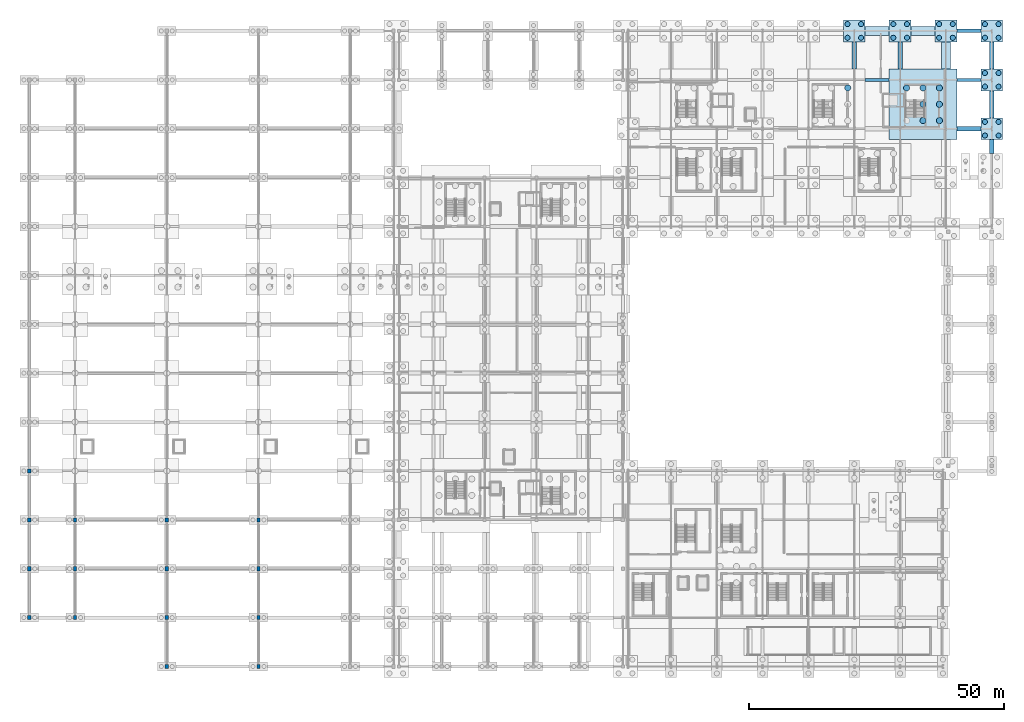
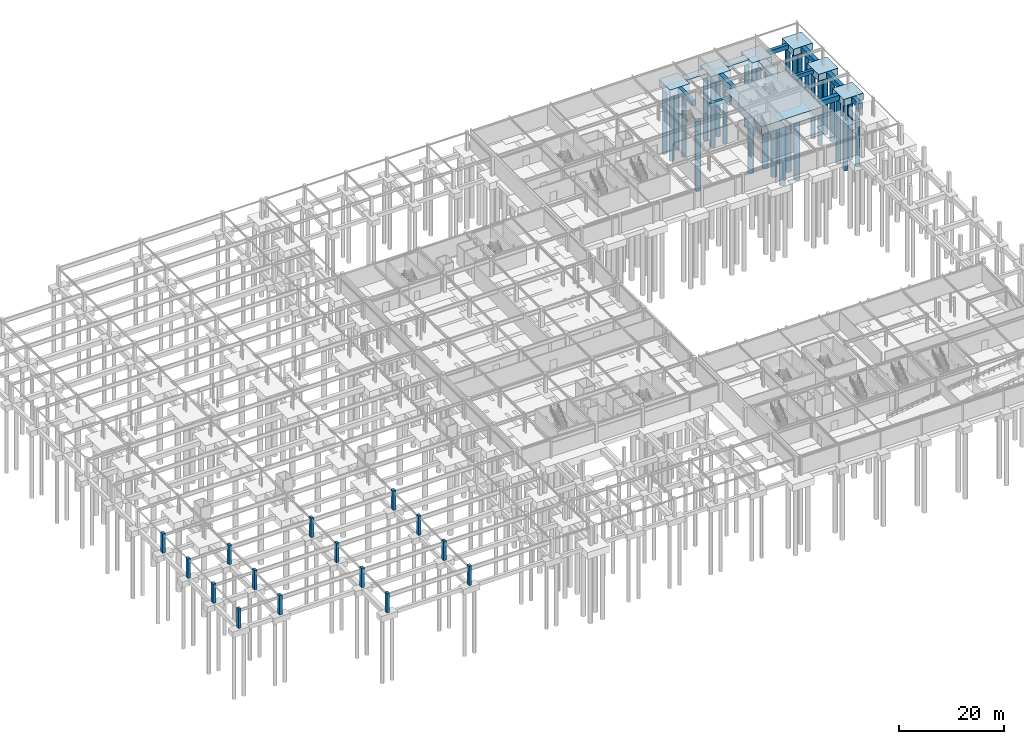
# One storey, part 10 of 59: 32 piles, 19 footings, 15 columns.
"""IFC4 building model written with IfcOpenShell, lengths in metres."""

import ifcopenshell
import ifcopenshell.guid

model = None  # the IFC model being written
_history = None  # IfcOwnerHistory: only IFC2X3 demands one
_inside = {}  # id of a spatial element -> (the spatial element, [elements in it])
_under = {}  # id of a project, library or spatial element -> (it, [spatial elements below it])
_declared = {}  # id of a project -> (the project, [libraries it declares])
_typed = {}  # id of a type object -> (the type object, [elements of that type])
_made_of = {}  # id of a material, layer set ... -> (it, [elements and type objects made of it])


def new_model(schema):
    """Start an empty IFC model of exactly this schema.

    Asked for "IFC4X3", IfcOpenShell would pick the latest addendum, in which some entities
    have other attributes; the version numbers below select the first issue.
    IFC2X3 requires an IfcOwnerHistory on every rooted entity: one is made here for all.
    """
    global model, _history
    if schema == "IFC4X3":
        model = ifcopenshell.file(schema_version=(4, 3, 0, 0))
    else:
        model = ifcopenshell.file(schema=schema)
    _inside.clear()
    _under.clear()
    _declared.clear()
    _typed.clear()
    _made_of.clear()
    _history = None
    if model.schema == "IFC2X3":
        org = make("IfcOrganization", Name="unknown")
        user = make(
            "IfcPersonAndOrganization",
            ThePerson=make("IfcPerson", FamilyName="unknown"),
            TheOrganization=org,
        )
        app = make(
            "IfcApplication",
            ApplicationDeveloper=org,
            Version="unknown",
            ApplicationFullName="unknown",
            ApplicationIdentifier="unknown",
        )
        _history = make(
            "IfcOwnerHistory",
            OwningUser=user,
            OwningApplication=app,
            ChangeAction="ADDED",
            CreationDate=0,
        )
    return model


def make(cls, **values):
    """One entity of the class cls with the attributes given. An attribute that is None is left unset."""
    return model.create_entity(
        cls, **{name: value for name, value in values.items() if value is not None}
    )


def rooted(cls, **values):
    """An entity with a GlobalId (a new one), such as an element, a storey or a relation."""
    return make(cls, GlobalId=ifcopenshell.guid.new(), OwnerHistory=_history, **values)


def si_unit(unit_type, name, prefix=None):
    """IfcSIUnit, for example si_unit("LENGTHUNIT", "METRE", prefix="MILLI")."""
    return make("IfcSIUnit", UnitType=unit_type, Prefix=prefix, Name=name)


def assignment(units):
    """IfcUnitAssignment: the units of a project."""
    return None if units is None else make("IfcUnitAssignment", Units=units)


def point(xyz):
    """IfcCartesianPoint."""
    return None if xyz is None else make("IfcCartesianPoint", Coordinates=xyz)


def direction(xyz):
    """IfcDirection."""
    return None if xyz is None else make("IfcDirection", DirectionRatios=xyz)


def frame(location, z_axis=None, x_axis=None):
    """IfcAxis2Placement3D, a coordinate frame: its origin and axes. An axis left out is left unset."""
    return make(
        "IfcAxis2Placement3D",
        Location=point(location),
        Axis=direction(z_axis),
        RefDirection=direction(x_axis),
    )


def frame_2d(location, x_axis=None):
    """IfcAxis2Placement2D, a coordinate frame in the plane: its origin and x axis."""
    return make(
        "IfcAxis2Placement2D", Location=point(location), RefDirection=direction(x_axis)
    )


def origin():
    """The frame at (0, 0, 0) with its axes left unset."""
    return frame((0.0, 0.0, 0.0))


def origin_2d():
    """The frame at (0, 0) in the plane with its x axis left unset."""
    return frame_2d((0.0, 0.0))


def place(relative_to, where):
    """IfcLocalPlacement: puts the frame where relative to a parent placement (None: the world)."""
    return make(
        "IfcLocalPlacement", PlacementRelTo=relative_to, RelativePlacement=where
    )


def context(
    kind, dimensions, precision=None, world=None, true_north=None, identifier=None
):
    """IfcGeometricRepresentationContext, for example the 3D "Model" context."""
    return make(
        "IfcGeometricRepresentationContext",
        ContextIdentifier=identifier,
        ContextType=kind,
        CoordinateSpaceDimension=dimensions,
        Precision=precision,
        WorldCoordinateSystem=world,
        TrueNorth=true_north,
    )


def subcontext(parent, identifier, kind, view, scale=None):
    """IfcGeometricRepresentationSubContext, for example "Body" below "Model"."""
    return make(
        "IfcGeometricRepresentationSubContext",
        ContextIdentifier=identifier,
        ContextType=kind,
        ParentContext=parent,
        TargetScale=scale,
        TargetView=view,
    )


def project(units=None, contexts=None):
    """IfcProject with its units and contexts."""
    return rooted(
        "IfcProject",
        Name="project",
        RepresentationContexts=contexts,
        UnitsInContext=assignment(units),
    )


def spatial(cls, under=None, at=None, **own):
    """A site, building, storey or space (cls), placed at a placement, below another one or the project."""
    s = rooted(cls, ObjectPlacement=at, **own)
    if under is not None:
        _under.setdefault(under.id(), (under, []))[1].append(s)
    return s


def profile(cls, at=None, kind="AREA", **sizes):
    """A parametric profile (cls). Its sizes go by their IFC names, for example OverallWidth=200.0."""
    return make(cls, ProfileType=kind, Position=at, **sizes)


def rectangle(**sizes):
    """IfcRectangleProfileDef."""
    return profile("IfcRectangleProfileDef", **sizes)


def circle(**sizes):
    """IfcCircleProfileDef."""
    return profile("IfcCircleProfileDef", **sizes)


def extrude(swept, where, along, depth):
    """IfcExtrudedAreaSolid: the profile swept, set in the frame where, extruded along a direction by depth."""
    return make(
        "IfcExtrudedAreaSolid",
        SweptArea=swept,
        Position=where,
        ExtrudedDirection=direction(along),
        Depth=depth,
    )


def shape(context_of_items, identifier, shape_type, items):
    """IfcShapeRepresentation: the items that make up one representation, for example the "Body"."""
    return make(
        "IfcShapeRepresentation",
        ContextOfItems=context_of_items,
        RepresentationIdentifier=identifier,
        RepresentationType=shape_type,
        Items=items,
    )


def material(Name=None, Category=None):
    """IfcMaterial."""
    return make("IfcMaterial", Name=Name, Category=Category)


def material_profile(
    of_material, cross_section, Name=None, Category=None, Priority=None
):
    """IfcMaterialProfile: a cross section and its material."""
    return make(
        "IfcMaterialProfile",
        Name=Name,
        Material=of_material,
        Profile=cross_section,
        Priority=Priority,
        Category=Category,
    )


def profile_set(profiles, Name=None, composite=None):
    """IfcMaterialProfileSet."""
    return make(
        "IfcMaterialProfileSet",
        Name=Name,
        MaterialProfiles=profiles,
        CompositeProfile=composite,
    )


def made_of(thing, what):
    """Note that an element or type object is made of a material, layer set ...; save() writes the relation."""
    if what is not None:
        _made_of.setdefault(what.id(), (what, []))[1].append(thing)
    return thing


def type_object(cls, material=None, **own):
    """A type object (cls), such as IfcWallType, which elements share."""
    return made_of(rooted(cls, **own), material)


def element(
    cls,
    number,
    at=None,
    inside=None,
    cuts=None,
    type_object=None,
    material=None,
    context=None,
    identifier="Body",
    shape_type=None,
    held_by="IfcProductDefinitionShape",
    body=None,
    shapes=None,
    **own,
):
    """One element of the class cls, such as IfcWall. Its Tag is "e" and its number.

    at: its placement. inside: the storey or other place that contains it. cuts: it is an
    opening in that element (IfcRelVoidsElement). A single representation is given by context,
    identifier, shape_type and body (its items); several are given by shapes. held_by: the class
    of the entity that holds the representations. save() writes the other relations.
    """
    e = rooted(cls, Tag="e%d" % number, ObjectPlacement=at, **own)
    if body is not None:
        shapes = [shape(context, identifier, shape_type, body)]
    if shapes is not None:
        e.Representation = make(held_by, Representations=shapes)
    if inside is not None:
        _inside.setdefault(inside.id(), (inside, []))[1].append(e)
    if cuts is not None:
        rooted(
            "IfcRelVoidsElement", RelatingBuildingElement=cuts, RelatedOpeningElement=e
        )
    if type_object is not None:
        _typed.setdefault(type_object.id(), (type_object, []))[1].append(e)
    return made_of(e, material)


def aggregate(whole, parts):
    """IfcRelAggregates: a whole, such as a stair, and the parts it consists of."""
    return rooted("IfcRelAggregates", RelatingObject=whole, RelatedObjects=parts)


def save(model, path):
    """Write the relations noted so far, then the file.

    IfcRelAggregates (storeys below a building ...), IfcRelContainedInSpatialStructure (elements
    in a storey), IfcRelDefinesByType, IfcRelAssociatesMaterial and IfcRelDeclares: one each for
    every whole, place, type object, material and project.
    """
    for whole, parts in _under.values():
        aggregate(whole, parts)
    for where, things in _inside.values():
        rooted(
            "IfcRelContainedInSpatialStructure",
            RelatedElements=things,
            RelatingStructure=where,
        )
    for kind, things in _typed.values():
        rooted("IfcRelDefinesByType", RelatedObjects=things, RelatingType=kind)
    for what, things in _made_of.values():
        rooted("IfcRelAssociatesMaterial", RelatedObjects=things, RelatingMaterial=what)
    for by, libraries in _declared.values():
        rooted("IfcRelDeclares", RelatingContext=by, RelatedDefinitions=libraries)
    model.write(path)


model = new_model("IFC4")

# Units and contexts
model_context = context("Model", 3, precision=1e-05, world=origin(), true_north=direction((0.0, 1.0)))
body_context = subcontext(model_context, "Body", "Model", "MODEL_VIEW")
ifc_project = project(units=[si_unit("LENGTHUNIT", "METRE"), si_unit("AREAUNIT", "SQUARE_METRE"), si_unit("VOLUMEUNIT", "CUBIC_METRE"), si_unit("PLANEANGLEUNIT", "RADIAN"), si_unit("MASSUNIT", "GRAM", prefix="KILO")], contexts=[model_context])

# Site, building, storey
site_placement = place(None, origin())
site = spatial("IfcSite", under=ifc_project, at=site_placement, CompositionType="ELEMENT")
building_placement = place(site_placement, origin())
building = spatial("IfcBuilding", under=site, at=building_placement, Name="Myrtia Square Station", CompositionType="ELEMENT")
storey_placement = place(building_placement, frame((0.0, 0.0, -4.5)))
storey = spatial("IfcBuildingStorey", under=building, at=storey_placement, Name="B01", CompositionType="ELEMENT", Elevation=-4.5)

# Footings
ifc_material_1 = material(Name="Concrete C35/45", Category="concrete")
ifc_material_profile_1 = material_profile(ifc_material_1, rectangle(XDim=0.60009765625, YDim=0.89990234375, at=origin_2d()), Name="FB 600x900")
ifc_profile_set_1 = profile_set([ifc_material_profile_1], Name="Concrete C35/45")
footing_type_1 = type_object("IfcFootingType", Name="FBM-600x900", PredefinedType="FOOTING_BEAM", material=ifc_profile_set_1)
for number, where, z_axis, x_axis, name in (
    (1, (164.14990234375, 115.199951171875, -0.449951171875), (1.0, 0.0, 0.0), (0.0, 1.0, 0.0), "Seismic foundation tie beam X-0143"),
    (2, (182.14990234375, 115.199951171875, -0.449951171875), (1.0, 0.0, 0.0), (0.0, 1.0, 0.0), "Seismic foundation tie beam X-0144"),
):
    element("IfcFooting", number, at=place(storey_placement, frame(where, z_axis=z_axis, x_axis=x_axis)), inside=storey, type_object=footing_type_1, Name=name, PredefinedType="FOOTING_BEAM", context=body_context, shape_type="SweptSolid", body=[
        extrude(rectangle(XDim=0.60009765625, YDim=0.89990234375, at=origin_2d()), origin(), (0.0, 0.0, 1.0), 4.7001953125),
    ])
ifc_material_profile_2 = material_profile(ifc_material_1, rectangle(XDim=0.699951171875, YDim=1.0, at=origin_2d()), Name="FB 700x1000")
ifc_profile_set_2 = profile_set([ifc_material_profile_2], Name="Concrete C35/45")
footing_type_2 = type_object("IfcFootingType", Name="FBM-700x1000", PredefinedType="FOOTING_BEAM", material=ifc_profile_set_2)
footing_1_placement = place(storey_placement, frame((182.14990234375, 124.800048828125, -0.5), z_axis=(1.0, 0.0, 0.0), x_axis=(0.0, 1.0, 0.0)))
element("IfcFooting", 3, at=footing_1_placement, inside=storey, type_object=footing_type_2, Name="Seismic foundation tie beam X-0153", PredefinedType="FOOTING_BEAM", context=body_context, shape_type="SweptSolid", body=[
    extrude(rectangle(XDim=0.699951171875, YDim=1.0, at=origin_2d()), origin(), (0.0, 0.0, 1.0), 4.7001953125),
])
ifc_material_profile_3 = material_profile(ifc_material_1, rectangle(XDim=0.800048828125, YDim=1.10009765625, at=origin_2d()), Name="FB 800x1100")
ifc_profile_set_3 = profile_set([ifc_material_profile_3], Name="Concrete C35/45")
footing_type_3 = type_object("IfcFootingType", Name="FBM-800x1100", PredefinedType="FOOTING_BEAM", material=ifc_profile_set_3)
footing_2_placement = place(storey_placement, frame((162.0, 117.35009765625, -0.550048828125), z_axis=(0.0, 1.0, 0.0), x_axis=(-1.0, 0.0, 0.0)))
element("IfcFooting", 4, at=footing_2_placement, inside=storey, type_object=footing_type_3, Name="Seismic foundation tie beam Y-0328", PredefinedType="FOOTING_BEAM", context=body_context, shape_type="SweptSolid", body=[
    extrude(rectangle(XDim=0.800048828125, YDim=1.10009765625, at=origin_2d()), origin(), (0.0, 0.0, 1.0), 5.2998046875),
])
ifc_material_profile_4 = material_profile(ifc_material_1, rectangle(XDim=0.89990234375, YDim=1.199951171875, at=origin_2d()), Name="FB 900x1200")
ifc_profile_set_4 = profile_set([ifc_material_profile_4], Name="Concrete C35/45")
footing_type_4 = type_object("IfcFootingType", Name="FBM-900x1200", PredefinedType="FOOTING_BEAM", material=ifc_profile_set_4)
footing_3_placement = place(storey_placement, frame((182.14990234375, 105.60009765625, -0.60009765625), z_axis=(1.0, 0.0, 0.0), x_axis=(0.0, 1.0, 0.0)))
element("IfcFooting", 5, at=footing_3_placement, inside=storey, type_object=footing_type_4, Name="Seismic foundation tie beam X-0129", PredefinedType="FOOTING_BEAM", context=body_context, shape_type="SweptSolid", body=[
    extrude(rectangle(XDim=0.89990234375, YDim=1.199951171875, at=origin_2d()), origin(), (0.0, 0.0, 1.0), 4.7001953125),
])
footing_4_placement = place(storey_placement, frame((171.0, 117.35009765625, -0.60009765625), z_axis=(0.0, 1.0, 0.0), x_axis=(-1.0, 0.0, 0.0)))
element("IfcFooting", 6, at=footing_4_placement, inside=storey, type_object=footing_type_4, Name="Seismic foundation tie beam Y-0334", PredefinedType="FOOTING_BEAM", context=body_context, shape_type="SweptSolid", body=[
    extrude(rectangle(XDim=0.89990234375, YDim=1.199951171875, at=origin_2d()), origin(), (0.0, 0.0, 1.0), 5.2998046875),
])
footing_5_placement = place(storey_placement, frame((189.0, 100.760009765625, -0.60009765625), z_axis=(0.0, 1.0, 0.0), x_axis=(-1.0, 0.0, 0.0)))
element("IfcFooting", 7, at=footing_5_placement, inside=storey, type_object=footing_type_4, Name="Seismic foundation tie beam Y-0356", PredefinedType="FOOTING_BEAM", context=body_context, shape_type="SweptSolid", body=[
    extrude(rectangle(XDim=0.89990234375, YDim=1.199951171875, at=origin_2d()), origin(), (0.0, 0.0, 1.0), 2.68994140625),
])
footing_6_placement = place(storey_placement, frame((189.0, 107.75, -0.60009765625), z_axis=(0.0, 1.0, 0.0), x_axis=(-1.0, 0.0, 0.0)))
element("IfcFooting", 8, at=footing_6_placement, inside=storey, type_object=footing_type_4, Name="Seismic foundation tie beam Y-0357", PredefinedType="FOOTING_BEAM", context=body_context, shape_type="SweptSolid", body=[
    extrude(rectangle(XDim=0.89990234375, YDim=1.199951171875, at=origin_2d()), origin(), (0.0, 0.0, 1.0), 5.300048828125),
])
footing_7_placement = place(storey_placement, frame((189.0, 117.35009765625, -0.60009765625), z_axis=(0.0, 1.0, 0.0), x_axis=(-1.0, 0.0, 0.0)))
element("IfcFooting", 9, at=footing_7_placement, inside=storey, type_object=footing_type_4, Name="Seismic foundation tie beam Y-0358", PredefinedType="FOOTING_BEAM", context=body_context, shape_type="SweptSolid", body=[
    extrude(rectangle(XDim=0.89990234375, YDim=1.199951171875, at=origin_2d()), origin(), (0.0, 0.0, 1.0), 5.2998046875),
])
footing_type_5 = type_object("IfcFootingType", Name="FCAP-1330x1390x180", PredefinedType="PILE_CAP", material=ifc_material_1)
footing_8_placement = place(storey_placement, frame((175.5, 110.39990234375, -1.7998046875), z_axis=(0.0, 0.0, 1.0), x_axis=(1.0, 0.0, 0.0)))
element("IfcFooting", 10, at=footing_8_placement, inside=storey, type_object=footing_type_5, Name="Reinforced concrete pile cap CAP-CORE-K8", PredefinedType="PILE_CAP", context=body_context, shape_type="SweptSolid", body=[
    extrude(rectangle(XDim=13.300048828125, YDim=13.89990234375, at=origin_2d()), origin(), (0.0, 0.0, 1.0), 1.800048828125),
])
footing_type_6 = type_object("IfcFootingType", Name="FCAP-430x430x155", PredefinedType="PILE_CAP", material=ifc_material_1)
for number, where, z_axis, x_axis, name in (
    (11, (162.0, 124.800048828125, -1.5498046875), (0.0, 0.0, 1.0), (1.0, 0.0, 0.0), "Reinforced concrete pile cap CAP-M4-239"),
    (12, (171.0, 124.800048828125, -1.5498046875), (0.0, 0.0, 1.0), (1.0, 0.0, 0.0), "Reinforced concrete pile cap CAP-M4-244"),
    (13, (180.0, 124.800048828125, -1.5498046875), (0.0, 0.0, 1.0), (1.0, 0.0, 0.0), "Reinforced concrete pile cap CAP-M4-249"),
    (14, (189.0, 105.60009765625, -1.5498046875), (0.0, 0.0, 1.0), (1.0, 0.0, 0.0), "Reinforced concrete pile cap CAP-M4-252"),
    (15, (189.0, 115.199951171875, -1.5498046875), (0.0, 0.0, 1.0), (1.0, 0.0, 0.0), "Reinforced concrete pile cap CAP-M4-253"),
    (16, (189.0, 124.800048828125, -1.5498046875), (0.0, 0.0, 1.0), (1.0, 0.0, 0.0), "Reinforced concrete pile cap CAP-M4-254"),
):
    element("IfcFooting", number, at=place(storey_placement, frame(where, z_axis=z_axis, x_axis=x_axis)), inside=storey, type_object=footing_type_6, Name=name, PredefinedType="PILE_CAP", context=body_context, shape_type="SweptSolid", body=[
        extrude(rectangle(XDim=4.300048828125, YDim=4.300048828125, at=origin_2d()), origin(), (0.0, 0.0, 1.0), 1.550048828125),
    ])

# Piles
ifc_material_profile_5 = material_profile(ifc_material_1, circle(Radius=0.5, at=origin_2d()), Name="BP D1000")
ifc_profile_set_5 = profile_set([ifc_material_profile_5], Name="Concrete C35/45")
pile_type_1 = type_object("IfcPileType", Name="PIL-BP1000", PredefinedType="BORED", material=ifc_profile_set_5)
for number, where, z_axis, x_axis, name in (
    (17, (160.659912109375, 123.4599609375, -1.449951171875), (0.0, 0.0, -1.0), (1.0, 0.0, 0.0), "Bored pile 0490"),
    (18, (160.659912109375, 126.139892578125, -1.449951171875), (0.0, 0.0, -1.0), (1.0, 0.0, 0.0), "Bored pile 0491"),
    (19, (163.340087890625, 123.4599609375, -1.449951171875), (0.0, 0.0, -1.0), (1.0, 0.0, 0.0), "Bored pile 0492"),
    (20, (163.340087890625, 126.139892578125, -1.449951171875), (0.0, 0.0, -1.0), (1.0, 0.0, 0.0), "Bored pile 0493"),
    (21, (169.659912109375, 123.4599609375, -1.449951171875), (0.0, 0.0, -1.0), (1.0, 0.0, 0.0), "Bored pile 0498"),
    (22, (169.659912109375, 126.139892578125, -1.449951171875), (0.0, 0.0, -1.0), (1.0, 0.0, 0.0), "Bored pile 0499"),
    (23, (172.340087890625, 123.4599609375, -1.449951171875), (0.0, 0.0, -1.0), (1.0, 0.0, 0.0), "Bored pile 0500"),
    (24, (172.340087890625, 126.139892578125, -1.449951171875), (0.0, 0.0, -1.0), (1.0, 0.0, 0.0), "Bored pile 0501"),
    (25, (178.659912109375, 123.4599609375, -1.449951171875), (0.0, 0.0, -1.0), (1.0, 0.0, 0.0), "Bored pile 0506"),
    (26, (178.659912109375, 126.139892578125, -1.449951171875), (0.0, 0.0, -1.0), (1.0, 0.0, 0.0), "Bored pile 0507"),
    (27, (181.340087890625, 123.4599609375, -1.449951171875), (0.0, 0.0, -1.0), (1.0, 0.0, 0.0), "Bored pile 0508"),
    (28, (181.340087890625, 126.139892578125, -1.449951171875), (0.0, 0.0, -1.0), (1.0, 0.0, 0.0), "Bored pile 0509"),
    (29, (187.659912109375, 104.260009765625, -1.449951171875), (0.0, 0.0, -1.0), (1.0, 0.0, 0.0), "Bored pile 0516"),
    (30, (187.659912109375, 106.93994140625, -1.449951171875), (0.0, 0.0, -1.0), (1.0, 0.0, 0.0), "Bored pile 0517"),
    (31, (190.340087890625, 104.260009765625, -1.449951171875), (0.0, 0.0, -1.0), (1.0, 0.0, 0.0), "Bored pile 0518"),
    (32, (190.340087890625, 106.93994140625, -1.449951171875), (0.0, 0.0, -1.0), (1.0, 0.0, 0.0), "Bored pile 0519"),
    (33, (187.659912109375, 113.860107421875, -1.449951171875), (0.0, 0.0, -1.0), (1.0, 0.0, 0.0), "Bored pile 0520"),
    (34, (187.659912109375, 116.5400390625, -1.449951171875), (0.0, 0.0, -1.0), (1.0, 0.0, 0.0), "Bored pile 0521"),
    (35, (190.340087890625, 113.860107421875, -1.449951171875), (0.0, 0.0, -1.0), (1.0, 0.0, 0.0), "Bored pile 0522"),
    (36, (190.340087890625, 116.5400390625, -1.449951171875), (0.0, 0.0, -1.0), (1.0, 0.0, 0.0), "Bored pile 0523"),
    (37, (187.659912109375, 123.4599609375, -1.449951171875), (0.0, 0.0, -1.0), (1.0, 0.0, 0.0), "Bored pile 0524"),
    (38, (187.659912109375, 126.139892578125, -1.449951171875), (0.0, 0.0, -1.0), (1.0, 0.0, 0.0), "Bored pile 0525"),
    (39, (190.340087890625, 123.4599609375, -1.449951171875), (0.0, 0.0, -1.0), (1.0, 0.0, 0.0), "Bored pile 0526"),
    (40, (190.340087890625, 126.139892578125, -1.449951171875), (0.0, 0.0, -1.0), (1.0, 0.0, 0.0), "Bored pile 0527"),
):
    element("IfcPile", number, at=place(storey_placement, frame(where, z_axis=z_axis, x_axis=x_axis)), inside=storey, type_object=pile_type_1, Name=name, PredefinedType="BORED", context=body_context, shape_type="SweptSolid", body=[
        extrude(circle(Radius=0.5, at=origin_2d()), origin(), (0.0, 0.0, 1.0), 15.550048828125),
    ])
ifc_material_profile_6 = material_profile(ifc_material_1, circle(Radius=0.60009765625, at=origin_2d()), Name="BP D1200")
ifc_profile_set_6 = profile_set([ifc_material_profile_6], Name="Concrete C35/45")
pile_type_2 = type_object("IfcPileType", Name="PIL-BP1200", PredefinedType="BORED", material=ifc_profile_set_6)
for number, where, z_axis, x_axis, name in (
    (41, (172.283935546875, 113.615966796875, -1.699951171875), (0.0, 0.0, -1.0), (1.0, 0.0, 0.0), "Bored pile 0057"),
    (42, (175.5, 107.18408203125, -1.699951171875), (0.0, 0.0, -1.0), (1.0, 0.0, 0.0), "Bored pile 0058"),
    (43, (175.5, 110.39990234375, -1.699951171875), (0.0, 0.0, -1.0), (1.0, 0.0, 0.0), "Bored pile 0059"),
    (44, (175.5, 113.615966796875, -1.699951171875), (0.0, 0.0, -1.0), (1.0, 0.0, 0.0), "Bored pile 0060"),
    (45, (178.716064453125, 107.18408203125, -1.699951171875), (0.0, 0.0, -1.0), (1.0, 0.0, 0.0), "Bored pile 0061"),
    (46, (178.716064453125, 110.39990234375, -1.699951171875), (0.0, 0.0, -1.0), (1.0, 0.0, 0.0), "Bored pile 0062"),
    (47, (178.716064453125, 113.615966796875, -1.699951171875), (0.0, 0.0, -1.0), (1.0, 0.0, 0.0), "Bored pile 0063"),
    (48, (160.716064453125, 113.615966796875, -1.699951171875), (0.0, 0.0, -1.0), (1.0, 0.0, 0.0), "Bored pile 0081"),
):
    element("IfcPile", number, at=place(storey_placement, frame(where, z_axis=z_axis, x_axis=x_axis)), inside=storey, type_object=pile_type_2, Name=name, PredefinedType="BORED", context=body_context, shape_type="SweptSolid", body=[
        extrude(circle(Radius=0.60009765625, at=origin_2d()), origin(), (0.0, 0.0, 1.0), 16.199951171875),
    ])

# Footings
footing_type_7 = type_object("IfcFootingType", Name="SF-1800x1000", PredefinedType="STRIP_FOOTING", material=ifc_material_1)
for number, where, z_axis, x_axis, name in (
    (49, (166.5, 124.800048828125, -1.0), (0.0, 0.0, 1.0), (1.0, 0.0, 0.0), "Retaining wall strip footing 042"),
    (50, (175.5, 124.800048828125, -1.0), (0.0, 0.0, 1.0), (1.0, 0.0, 0.0), "Retaining wall strip footing 043"),
):
    element("IfcFooting", number, at=place(storey_placement, frame(where, z_axis=z_axis, x_axis=x_axis)), inside=storey, type_object=footing_type_7, Name=name, PredefinedType="STRIP_FOOTING", context=body_context, shape_type="SweptSolid", body=[
        extrude(rectangle(XDim=4.699951171875, YDim=1.800048828125, at=origin_2d()), origin(), (0.0, 0.0, 1.0), 1.0),
    ])
footing_9_placement = place(storey_placement, frame((180.0, 120.0, -1.0), z_axis=(0.0, 0.0, 1.0), x_axis=(1.0, 0.0, 0.0)))
element("IfcFooting", 51, at=footing_9_placement, inside=storey, type_object=footing_type_7, Name="Retaining wall strip footing 050", PredefinedType="STRIP_FOOTING", context=body_context, shape_type="SweptSolid", body=[
    extrude(rectangle(XDim=1.800048828125, YDim=5.300048828125, at=origin_2d()), origin(), (0.0, 0.0, 1.0), 1.0),
])

# Columns
ifc_material_2 = material(Name="Concrete C40/50", Category="concrete")
ifc_material_profile_7 = material_profile(ifc_material_2, rectangle(XDim=0.60009765625, YDim=0.800048828125, at=origin_2d()), Name="RC 600x800")
ifc_profile_set_7 = profile_set([ifc_material_profile_7], Name="Concrete C40/50")
column_type = type_object("IfcColumnType", Name="COL-RC600x800", PredefinedType="COLUMN", material=ifc_profile_set_7)
for number, where, z_axis, x_axis, name in (
    (52, (0.0, 9.60009765625, 0.0), (0.0, 0.0, 1.0), (1.0, 0.0, 0.0), "Column B01-0001"),
    (53, (0.0, 19.199951171875, 0.0), (0.0, 0.0, 1.0), (1.0, 0.0, 0.0), "Column B01-0004"),
    (54, (0.0, 28.800048828125, 0.0), (0.0, 0.0, 1.0), (1.0, 0.0, 0.0), "Column B01-0007"),
    (55, (0.0, 38.39990234375, 0.0), (0.0, 0.0, 1.0), (1.0, 0.0, 0.0), "Column B01-0010"),
    (56, (9.0, 9.60009765625, 0.0), (0.0, 0.0, 1.0), (1.0, 0.0, 0.0), "Column B01-0037"),
    (57, (9.0, 19.199951171875, 0.0), (0.0, 0.0, 1.0), (1.0, 0.0, 0.0), "Column B01-0040"),
    (58, (9.0, 28.800048828125, 0.0), (0.0, 0.0, 1.0), (1.0, 0.0, 0.0), "Column B01-0043"),
    (59, (27.0, 0.0, 0.0), (0.0, 0.0, 1.0), (1.0, 0.0, 0.0), "Column B01-0073"),
    (60, (27.0, 9.60009765625, 0.0), (0.0, 0.0, 1.0), (1.0, 0.0, 0.0), "Column B01-0076"),
    (61, (27.0, 19.199951171875, 0.0), (0.0, 0.0, 1.0), (1.0, 0.0, 0.0), "Column B01-0079"),
    (62, (27.0, 28.800048828125, 0.0), (0.0, 0.0, 1.0), (1.0, 0.0, 0.0), "Column B01-0082"),
    (63, (45.0, 0.0, 0.0), (0.0, 0.0, 1.0), (1.0, 0.0, 0.0), "Column B01-0115"),
    (64, (45.0, 9.60009765625, 0.0), (0.0, 0.0, 1.0), (1.0, 0.0, 0.0), "Column B01-0118"),
    (65, (45.0, 19.199951171875, 0.0), (0.0, 0.0, 1.0), (1.0, 0.0, 0.0), "Column B01-0121"),
    (66, (45.0, 28.800048828125, 0.0), (0.0, 0.0, 1.0), (1.0, 0.0, 0.0), "Column B01-0124"),
):
    element("IfcColumn", number, at=place(storey_placement, frame(where, z_axis=z_axis, x_axis=x_axis)), inside=storey, type_object=column_type, Name=name, PredefinedType="COLUMN", context=body_context, shape_type="SweptSolid", body=[
        extrude(rectangle(XDim=0.60009765625, YDim=0.800048828125, at=origin_2d()), origin(), (0.0, 0.0, 1.0), 4.5),
    ])

save(model, "model.ifc")
